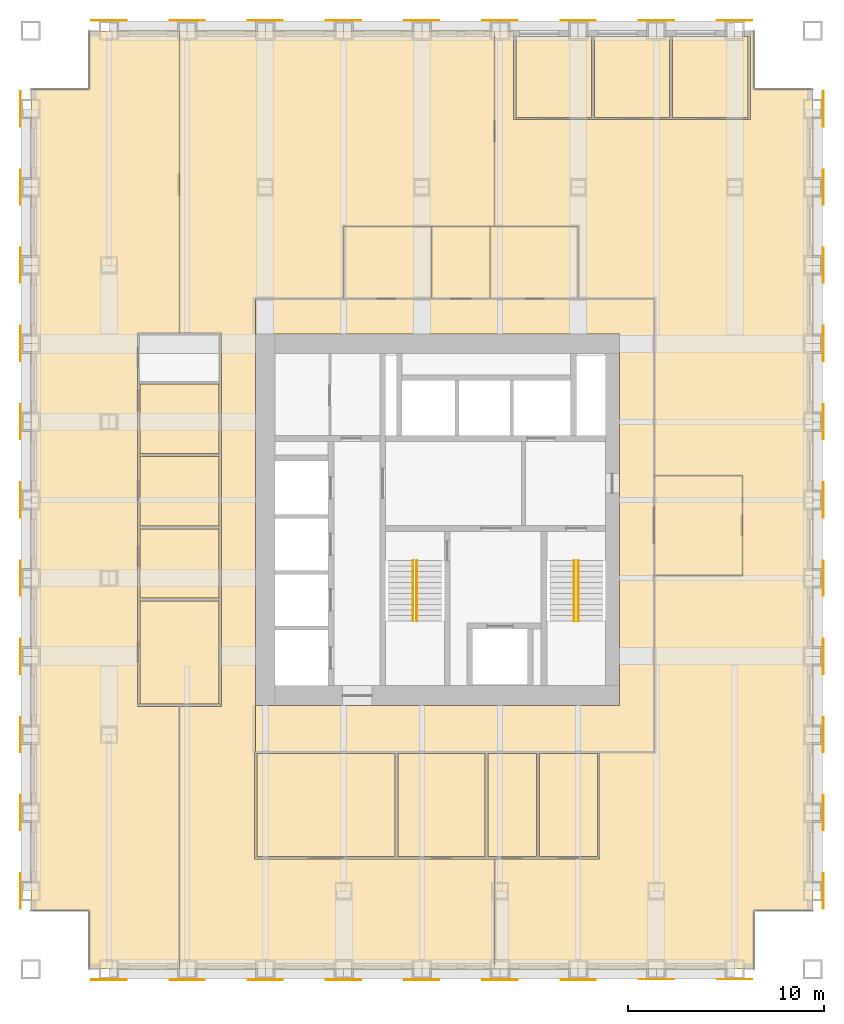
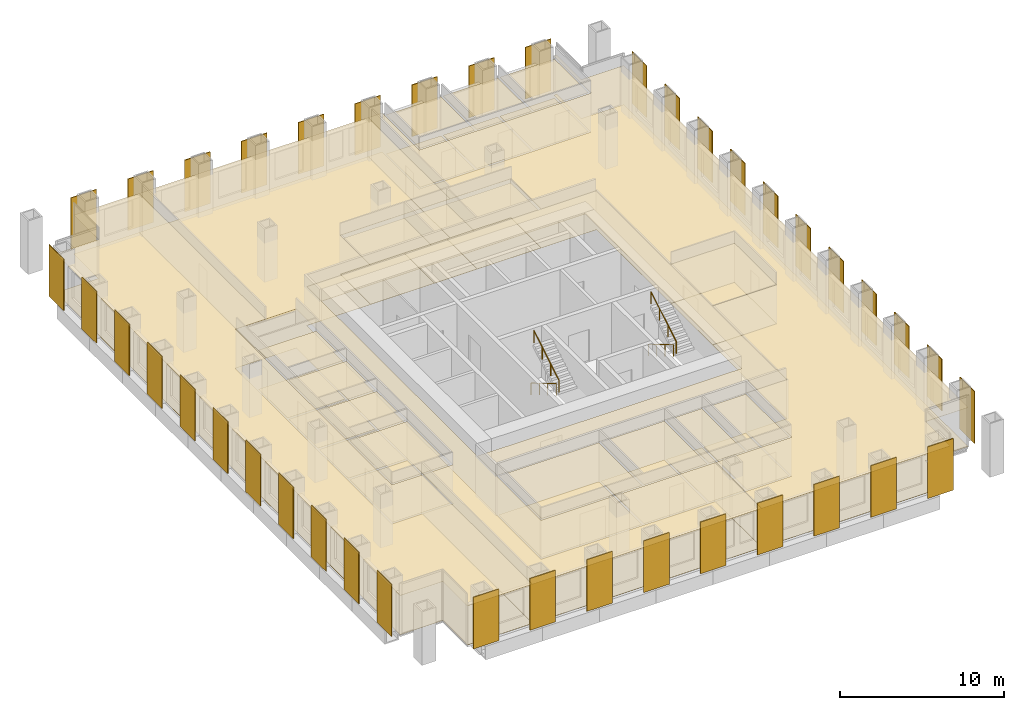
# One storey, part 12 of 12: 40 shading devices, 37 coverings, 4 railings.
"""IFC4 building model written with IfcOpenShell, lengths in metres."""

from ifc_helpers import new_model, si_unit, direction, frame, origin, origin_2d, place, context, subcontext, project, spatial, polyline, rectangle, circle, outline, extrude, material, layer, layer_set, type_object, element, save


model = new_model("IFC4")

# Units and contexts
model_context = context("Model", 3, precision=1e-05, world=origin(), true_north=direction((0.0, 1.0)))
body_context = subcontext(model_context, "Body", "Model", "MODEL_VIEW")
ifc_project = project(units=[si_unit("LENGTHUNIT", "METRE"), si_unit("AREAUNIT", "SQUARE_METRE"), si_unit("VOLUMEUNIT", "CUBIC_METRE"), si_unit("PLANEANGLEUNIT", "RADIAN"), si_unit("MASSUNIT", "GRAM", prefix="KILO")], contexts=[model_context])

# Site, building, storey
site_placement = place(None, origin())
site = spatial("IfcSite", under=ifc_project, at=site_placement, CompositionType="ELEMENT")
building_placement = place(site_placement, origin())
building = spatial("IfcBuilding", under=site, at=building_placement, Name="Rimbunsela Tower", CompositionType="ELEMENT")
storey_placement = place(building_placement, frame((0.0, 0.0, 159.800048828125)))
storey = spatial("IfcBuildingStorey", under=building, at=storey_placement, Name="L38", CompositionType="ELEMENT", Elevation=159.800048828125)

# Coverings
ifc_material_1 = material(Name="Nylon carpet tile", Category="textile")
ifc_layer_1 = layer(ifc_material_1, 0.010009765625)
ifc_layer_set_1 = layer_set([ifc_layer_1], Name="Carpet tile 10")
covering_type_1 = type_object("IfcCoveringType", Name="Carpet tile 10", PredefinedType="FLOORING", material=ifc_layer_set_1)
covering_1_placement = place(storey_placement, origin())
element("IfcCovering", 1, at=covering_1_placement, inside=storey, type_object=covering_type_1, Name="Floor finish Open office", PredefinedType="FLOORING", context=body_context, shape_type="SweptSolid", body=[
    extrude(outline(polyline([(29.72509765625, 52.0), (30.699951171875, 52.0), (30.699951171875, 47.449951171875), (34.699951171875, 47.449951171875), (34.800048828125, 47.449951171875), (37.89990234375, 47.449951171875), (38.699951171875, 47.449951171875), (38.800048828125, 47.449951171875), (42.800048828125, 47.449951171875), (42.800048828125, 52.0), (43.0, 52.0), (43.0, 49.0), (46.0, 49.0), (46.0, 7.0), (43.0, 7.0), (43.0, 4.0), (37.89990234375, 4.0), (29.72509765625, 4.0), (29.72509765625, 9.64990234375), (31.89990234375, 9.64990234375), (32.0, 9.64990234375), (35.10009765625, 9.64990234375), (35.10009765625, 15.10009765625), (37.89990234375, 15.10009765625), (37.89990234375, 24.14990234375), (42.39990234375, 24.14990234375), (42.39990234375, 29.25), (37.89990234375, 29.25), (37.89990234375, 38.300048828125), (34.0, 38.300048828125), (34.0, 42.0), (29.72509765625, 42.0), (29.72509765625, 52.0)])), origin(), (0.0, 0.0, 1.0), 0.010009765625),
])
covering_2_placement = place(storey_placement, origin())
element("IfcCovering", 2, at=covering_2_placement, inside=storey, type_object=covering_type_1, Name="Floor finish Open office", PredefinedType="FLOORING", context=body_context, shape_type="SweptSolid", body=[
    extrude(outline(polyline([(13.60009765625, 4.0), (9.0, 4.0), (9.0, 7.0), (6.0, 7.0), (6.0, 49.0), (9.0, 49.0), (9.0, 52.0), (13.60009765625, 52.0), (13.60009765625, 36.550048828125), (11.449951171875, 36.550048828125), (11.449951171875, 34.050048828125), (11.449951171875, 33.949951171875), (11.449951171875, 30.35009765625), (11.449951171875, 30.25), (11.449951171875, 26.64990234375), (11.449951171875, 26.550048828125), (11.449951171875, 22.949951171875), (11.449951171875, 22.85009765625), (11.449951171875, 17.449951171875), (13.60009765625, 17.449951171875), (13.60009765625, 4.0)])), origin(), (0.0, 0.0, 1.0), 0.010009765625),
])
covering_3_placement = place(storey_placement, origin())
element("IfcCovering", 3, at=covering_3_placement, inside=storey, type_object=covering_type_1, Name="Floor finish Open office", PredefinedType="FLOORING", context=body_context, shape_type="SweptSolid", body=[
    extrude(outline(polyline([(17.5, 4.0), (13.60009765625, 4.0), (13.60009765625, 17.449951171875), (15.75, 17.449951171875), (15.75, 22.85009765625), (15.75, 22.949951171875), (15.75, 26.550048828125), (15.75, 26.64990234375), (15.75, 30.25), (15.75, 30.35009765625), (15.75, 33.949951171875), (15.75, 34.050048828125), (15.75, 36.550048828125), (13.60009765625, 36.550048828125), (13.60009765625, 52.0), (17.5, 52.0), (29.72509765625, 52.0), (29.72509765625, 42.0), (22.0, 42.0), (22.0, 38.300048828125), (17.5, 38.300048828125), (17.5, 36.5), (17.5, 17.5), (17.5, 15.14990234375), (17.449951171875, 15.14990234375), (17.449951171875, 9.64990234375), (17.5, 9.64990234375), (24.64990234375, 9.64990234375), (24.75, 9.64990234375), (29.25, 9.64990234375), (29.35009765625, 9.64990234375), (29.72509765625, 9.64990234375), (29.72509765625, 4.0), (17.5, 4.0)])), origin(), (0.0, 0.0, 1.0), 0.010009765625),
])
covering_4_placement = place(storey_placement, origin())
element("IfcCovering", 4, at=covering_4_placement, inside=storey, type_object=covering_type_1, Name="Floor finish Reception", PredefinedType="FLOORING", context=body_context, shape_type="SweptSolid", body=[
    extrude(outline(polyline([(42.39990234375, 24.14990234375), (42.39990234375, 29.25), (37.89990234375, 29.25), (37.89990234375, 24.14990234375), (42.39990234375, 24.14990234375)])), origin(), (0.0, 0.0, 1.0), 0.010009765625),
])
covering_5_placement = place(storey_placement, origin())
element("IfcCovering", 5, at=covering_5_placement, inside=storey, type_object=covering_type_1, Name="Floor finish Executive office", PredefinedType="FLOORING", context=body_context, shape_type="SweptSolid", body=[
    extrude(outline(polyline([(34.675048828125, 47.574951171875), (34.675048828125, 51.699951171875), (30.824951171875, 51.699951171875), (30.824951171875, 47.574951171875), (34.675048828125, 47.574951171875)])), origin(), (0.0, 0.0, 1.0), 0.010009765625),
])
covering_6_placement = place(storey_placement, origin())
element("IfcCovering", 6, at=covering_6_placement, inside=storey, type_object=covering_type_1, Name="Floor finish Executive office", PredefinedType="FLOORING", context=body_context, shape_type="SweptSolid", body=[
    extrude(outline(polyline([(38.675048828125, 47.574951171875), (38.675048828125, 51.699951171875), (34.824951171875, 51.699951171875), (34.824951171875, 47.574951171875), (38.675048828125, 47.574951171875)])), origin(), (0.0, 0.0, 1.0), 0.010009765625),
])
covering_7_placement = place(storey_placement, origin())
element("IfcCovering", 7, at=covering_7_placement, inside=storey, type_object=covering_type_1, Name="Floor finish Executive office", PredefinedType="FLOORING", context=body_context, shape_type="SweptSolid", body=[
    extrude(outline(polyline([(42.675048828125, 47.574951171875), (42.675048828125, 51.699951171875), (38.824951171875, 51.699951171875), (38.824951171875, 47.574951171875), (42.675048828125, 47.574951171875)])), origin(), (0.0, 0.0, 1.0), 0.010009765625),
])
covering_8_placement = place(storey_placement, origin())
element("IfcCovering", 8, at=covering_8_placement, inside=storey, type_object=covering_type_1, Name="Floor finish Boardroom", PredefinedType="FLOORING", context=body_context, shape_type="SweptSolid", body=[
    extrude(outline(polyline([(24.625, 9.77490234375), (24.625, 15.02490234375), (17.574951171875, 15.02490234375), (17.574951171875, 9.77490234375), (24.625, 9.77490234375)])), origin(), (0.0, 0.0, 1.0), 0.010009765625),
])
covering_9_placement = place(storey_placement, origin())
element("IfcCovering", 9, at=covering_9_placement, inside=storey, type_object=covering_type_1, Name="Floor finish Pantry", PredefinedType="FLOORING", context=body_context, shape_type="SweptSolid", body=[
    extrude(outline(polyline([(29.22509765625, 9.77490234375), (29.22509765625, 15.02490234375), (24.77490234375, 15.02490234375), (24.77490234375, 9.77490234375), (29.22509765625, 9.77490234375)])), origin(), (0.0, 0.0, 1.0), 0.010009765625),
])
covering_10_placement = place(storey_placement, origin())
element("IfcCovering", 10, at=covering_10_placement, inside=storey, type_object=covering_type_1, Name="Floor finish Print and copy room", PredefinedType="FLOORING", context=body_context, shape_type="SweptSolid", body=[
    extrude(outline(polyline([(31.875, 9.77490234375), (31.875, 15.02490234375), (29.375, 15.02490234375), (29.375, 9.77490234375), (31.875, 9.77490234375)])), origin(), (0.0, 0.0, 1.0), 0.010009765625),
])
covering_11_placement = place(storey_placement, origin())
element("IfcCovering", 11, at=covering_11_placement, inside=storey, type_object=covering_type_1, Name="Floor finish Office", PredefinedType="FLOORING", context=body_context, shape_type="SweptSolid", body=[
    extrude(outline(polyline([(34.97509765625, 9.77490234375), (34.97509765625, 15.02490234375), (32.02490234375, 15.02490234375), (32.02490234375, 9.77490234375), (34.97509765625, 9.77490234375)])), origin(), (0.0, 0.0, 1.0), 0.010009765625),
])
covering_12_placement = place(storey_placement, origin())
element("IfcCovering", 12, at=covering_12_placement, inside=storey, type_object=covering_type_1, Name="Floor finish Meeting room", PredefinedType="FLOORING", context=body_context, shape_type="SweptSolid", body=[
    extrude(outline(polyline([(15.625, 17.574951171875), (15.625, 22.824951171875), (11.574951171875, 22.824951171875), (11.574951171875, 17.574951171875), (15.625, 17.574951171875)])), origin(), (0.0, 0.0, 1.0), 0.010009765625),
])
covering_13_placement = place(storey_placement, origin())
element("IfcCovering", 13, at=covering_13_placement, inside=storey, type_object=covering_type_1, Name="Floor finish Meeting room", PredefinedType="FLOORING", context=body_context, shape_type="SweptSolid", body=[
    extrude(outline(polyline([(15.625, 22.97509765625), (15.625, 26.52490234375), (11.574951171875, 26.52490234375), (11.574951171875, 22.97509765625), (15.625, 22.97509765625)])), origin(), (0.0, 0.0, 1.0), 0.010009765625),
])
covering_14_placement = place(storey_placement, origin())
element("IfcCovering", 14, at=covering_14_placement, inside=storey, type_object=covering_type_1, Name="Floor finish Meeting room", PredefinedType="FLOORING", context=body_context, shape_type="SweptSolid", body=[
    extrude(outline(polyline([(15.625, 26.675048828125), (15.625, 30.22509765625), (11.574951171875, 30.22509765625), (11.574951171875, 26.675048828125), (15.625, 26.675048828125)])), origin(), (0.0, 0.0, 1.0), 0.010009765625),
])
covering_15_placement = place(storey_placement, origin())
element("IfcCovering", 15, at=covering_15_placement, inside=storey, type_object=covering_type_1, Name="Floor finish Meeting room", PredefinedType="FLOORING", context=body_context, shape_type="SweptSolid", body=[
    extrude(outline(polyline([(15.625, 30.375), (15.625, 33.925048828125), (11.574951171875, 33.925048828125), (11.574951171875, 30.375), (15.625, 30.375)])), origin(), (0.0, 0.0, 1.0), 0.010009765625),
])
ifc_material_2 = material(Name="Mineral fibre ceiling tile", Category="gypsum")
ifc_layer_2 = layer(ifc_material_2, 0.02001953125)
ifc_layer_set_2 = layer_set([ifc_layer_2], Name="Ceiling 600 grid")
covering_type_2 = type_object("IfcCoveringType", Name="Ceiling 600 grid", PredefinedType="CEILING", material=ifc_layer_set_2)
covering_16_placement = place(storey_placement, frame((0.0, 0.0, 2.89990234375)))
element("IfcCovering", 16, at=covering_16_placement, inside=storey, type_object=covering_type_2, Name="Ceiling U-shaped corridor", PredefinedType="CEILING", context=body_context, shape_type="SweptSolid", body=[
    extrude(outline(polyline([(37.89990234375, 38.300048828125), (37.89990234375, 15.10009765625), (17.5, 15.10009765625), (17.5, 17.5), (36.10009765625, 17.5), (36.10009765625, 36.5), (17.5, 36.5), (17.5, 38.300048828125), (37.89990234375, 38.300048828125)])), origin(), (0.0, 0.0, 1.0), 0.02001953125),
])
covering_17_placement = place(storey_placement, frame((0.0, 0.0, 2.89990234375)))
element("IfcCovering", 17, at=covering_17_placement, inside=storey, type_object=covering_type_2, Name="Ceiling Open office", PredefinedType="CEILING", context=body_context, shape_type="SweptSolid", body=[
    extrude(outline(polyline([(29.72509765625, 52.0), (30.699951171875, 52.0), (30.699951171875, 47.449951171875), (34.699951171875, 47.449951171875), (34.800048828125, 47.449951171875), (37.89990234375, 47.449951171875), (38.699951171875, 47.449951171875), (38.800048828125, 47.449951171875), (42.800048828125, 47.449951171875), (42.800048828125, 52.0), (43.0, 52.0), (43.0, 49.0), (46.0, 49.0), (46.0, 7.0), (43.0, 7.0), (43.0, 4.0), (37.89990234375, 4.0), (29.72509765625, 4.0), (29.72509765625, 9.64990234375), (31.89990234375, 9.64990234375), (32.0, 9.64990234375), (35.10009765625, 9.64990234375), (35.10009765625, 15.10009765625), (37.89990234375, 15.10009765625), (37.89990234375, 24.14990234375), (42.39990234375, 24.14990234375), (42.39990234375, 29.25), (37.89990234375, 29.25), (37.89990234375, 38.300048828125), (34.0, 38.300048828125), (34.0, 42.0), (29.72509765625, 42.0), (29.72509765625, 52.0)])), origin(), (0.0, 0.0, 1.0), 0.02001953125),
])
covering_18_placement = place(storey_placement, frame((0.0, 0.0, 2.89990234375)))
element("IfcCovering", 18, at=covering_18_placement, inside=storey, type_object=covering_type_2, Name="Ceiling Open office", PredefinedType="CEILING", context=body_context, shape_type="SweptSolid", body=[
    extrude(outline(polyline([(13.60009765625, 4.0), (9.0, 4.0), (9.0, 7.0), (6.0, 7.0), (6.0, 49.0), (9.0, 49.0), (9.0, 52.0), (13.60009765625, 52.0), (13.60009765625, 36.550048828125), (11.449951171875, 36.550048828125), (11.449951171875, 34.050048828125), (11.449951171875, 33.949951171875), (11.449951171875, 30.35009765625), (11.449951171875, 30.25), (11.449951171875, 26.64990234375), (11.449951171875, 26.550048828125), (11.449951171875, 22.949951171875), (11.449951171875, 22.85009765625), (11.449951171875, 17.449951171875), (13.60009765625, 17.449951171875), (13.60009765625, 4.0)])), origin(), (0.0, 0.0, 1.0), 0.02001953125),
])
covering_19_placement = place(storey_placement, frame((0.0, 0.0, 2.89990234375)))
element("IfcCovering", 19, at=covering_19_placement, inside=storey, type_object=covering_type_2, Name="Ceiling Open office", PredefinedType="CEILING", context=body_context, shape_type="SweptSolid", body=[
    extrude(outline(polyline([(17.5, 4.0), (13.60009765625, 4.0), (13.60009765625, 17.449951171875), (15.75, 17.449951171875), (15.75, 22.85009765625), (15.75, 22.949951171875), (15.75, 26.550048828125), (15.75, 26.64990234375), (15.75, 30.25), (15.75, 30.35009765625), (15.75, 33.949951171875), (15.75, 34.050048828125), (15.75, 36.550048828125), (13.60009765625, 36.550048828125), (13.60009765625, 52.0), (17.5, 52.0), (29.72509765625, 52.0), (29.72509765625, 42.0), (22.0, 42.0), (22.0, 38.300048828125), (17.5, 38.300048828125), (17.5, 36.5), (17.5, 17.5), (17.5, 15.14990234375), (17.449951171875, 15.14990234375), (17.449951171875, 9.64990234375), (17.5, 9.64990234375), (24.64990234375, 9.64990234375), (24.75, 9.64990234375), (29.25, 9.64990234375), (29.35009765625, 9.64990234375), (29.72509765625, 9.64990234375), (29.72509765625, 4.0), (17.5, 4.0)])), origin(), (0.0, 0.0, 1.0), 0.02001953125),
])
covering_20_placement = place(storey_placement, frame((0.0, 0.0, 2.89990234375)))
element("IfcCovering", 20, at=covering_20_placement, inside=storey, type_object=covering_type_2, Name="Ceiling Reception", PredefinedType="CEILING", context=body_context, shape_type="SweptSolid", body=[
    extrude(outline(polyline([(42.39990234375, 24.14990234375), (42.39990234375, 29.25), (37.89990234375, 29.25), (37.89990234375, 24.14990234375), (42.39990234375, 24.14990234375)])), origin(), (0.0, 0.0, 1.0), 0.02001953125),
])
covering_21_placement = place(storey_placement, frame((0.0, 0.0, 2.89990234375)))
element("IfcCovering", 21, at=covering_21_placement, inside=storey, type_object=covering_type_2, Name="Ceiling Executive office", PredefinedType="CEILING", context=body_context, shape_type="SweptSolid", body=[
    extrude(outline(polyline([(34.675048828125, 47.574951171875), (34.675048828125, 51.699951171875), (30.824951171875, 51.699951171875), (30.824951171875, 47.574951171875), (34.675048828125, 47.574951171875)])), origin(), (0.0, 0.0, 1.0), 0.02001953125),
])
covering_22_placement = place(storey_placement, frame((0.0, 0.0, 2.89990234375)))
element("IfcCovering", 22, at=covering_22_placement, inside=storey, type_object=covering_type_2, Name="Ceiling Executive office", PredefinedType="CEILING", context=body_context, shape_type="SweptSolid", body=[
    extrude(outline(polyline([(38.675048828125, 47.574951171875), (38.675048828125, 51.699951171875), (34.824951171875, 51.699951171875), (34.824951171875, 47.574951171875), (38.675048828125, 47.574951171875)])), origin(), (0.0, 0.0, 1.0), 0.02001953125),
])
covering_23_placement = place(storey_placement, frame((0.0, 0.0, 2.89990234375)))
element("IfcCovering", 23, at=covering_23_placement, inside=storey, type_object=covering_type_2, Name="Ceiling Executive office", PredefinedType="CEILING", context=body_context, shape_type="SweptSolid", body=[
    extrude(outline(polyline([(42.675048828125, 47.574951171875), (42.675048828125, 51.699951171875), (38.824951171875, 51.699951171875), (38.824951171875, 47.574951171875), (42.675048828125, 47.574951171875)])), origin(), (0.0, 0.0, 1.0), 0.02001953125),
])
covering_24_placement = place(storey_placement, frame((0.0, 0.0, 2.89990234375)))
element("IfcCovering", 24, at=covering_24_placement, inside=storey, type_object=covering_type_2, Name="Ceiling Boardroom", PredefinedType="CEILING", context=body_context, shape_type="SweptSolid", body=[
    extrude(outline(polyline([(24.625, 9.77490234375), (24.625, 15.02490234375), (17.574951171875, 15.02490234375), (17.574951171875, 9.77490234375), (24.625, 9.77490234375)])), origin(), (0.0, 0.0, 1.0), 0.02001953125),
])
covering_25_placement = place(storey_placement, frame((0.0, 0.0, 2.89990234375)))
element("IfcCovering", 25, at=covering_25_placement, inside=storey, type_object=covering_type_2, Name="Ceiling Pantry", PredefinedType="CEILING", context=body_context, shape_type="SweptSolid", body=[
    extrude(outline(polyline([(29.22509765625, 9.77490234375), (29.22509765625, 15.02490234375), (24.77490234375, 15.02490234375), (24.77490234375, 9.77490234375), (29.22509765625, 9.77490234375)])), origin(), (0.0, 0.0, 1.0), 0.02001953125),
])
covering_26_placement = place(storey_placement, frame((0.0, 0.0, 2.89990234375)))
element("IfcCovering", 26, at=covering_26_placement, inside=storey, type_object=covering_type_2, Name="Ceiling Print and copy room", PredefinedType="CEILING", context=body_context, shape_type="SweptSolid", body=[
    extrude(outline(polyline([(31.875, 9.77490234375), (31.875, 15.02490234375), (29.375, 15.02490234375), (29.375, 9.77490234375), (31.875, 9.77490234375)])), origin(), (0.0, 0.0, 1.0), 0.02001953125),
])
covering_27_placement = place(storey_placement, frame((0.0, 0.0, 2.89990234375)))
element("IfcCovering", 27, at=covering_27_placement, inside=storey, type_object=covering_type_2, Name="Ceiling Office", PredefinedType="CEILING", context=body_context, shape_type="SweptSolid", body=[
    extrude(outline(polyline([(34.97509765625, 9.77490234375), (34.97509765625, 15.02490234375), (32.02490234375, 15.02490234375), (32.02490234375, 9.77490234375), (34.97509765625, 9.77490234375)])), origin(), (0.0, 0.0, 1.0), 0.02001953125),
])
covering_28_placement = place(storey_placement, frame((0.0, 0.0, 2.89990234375)))
element("IfcCovering", 28, at=covering_28_placement, inside=storey, type_object=covering_type_2, Name="Ceiling Meeting room", PredefinedType="CEILING", context=body_context, shape_type="SweptSolid", body=[
    extrude(outline(polyline([(15.625, 17.574951171875), (15.625, 22.824951171875), (11.574951171875, 22.824951171875), (11.574951171875, 17.574951171875), (15.625, 17.574951171875)])), origin(), (0.0, 0.0, 1.0), 0.02001953125),
])
covering_29_placement = place(storey_placement, frame((0.0, 0.0, 2.89990234375)))
element("IfcCovering", 29, at=covering_29_placement, inside=storey, type_object=covering_type_2, Name="Ceiling Meeting room", PredefinedType="CEILING", context=body_context, shape_type="SweptSolid", body=[
    extrude(outline(polyline([(15.625, 22.97509765625), (15.625, 26.52490234375), (11.574951171875, 26.52490234375), (11.574951171875, 22.97509765625), (15.625, 22.97509765625)])), origin(), (0.0, 0.0, 1.0), 0.02001953125),
])
covering_30_placement = place(storey_placement, frame((0.0, 0.0, 2.89990234375)))
element("IfcCovering", 30, at=covering_30_placement, inside=storey, type_object=covering_type_2, Name="Ceiling Meeting room", PredefinedType="CEILING", context=body_context, shape_type="SweptSolid", body=[
    extrude(outline(polyline([(15.625, 26.675048828125), (15.625, 30.22509765625), (11.574951171875, 30.22509765625), (11.574951171875, 26.675048828125), (15.625, 26.675048828125)])), origin(), (0.0, 0.0, 1.0), 0.02001953125),
])
covering_31_placement = place(storey_placement, frame((0.0, 0.0, 2.89990234375)))
element("IfcCovering", 31, at=covering_31_placement, inside=storey, type_object=covering_type_2, Name="Ceiling Meeting room", PredefinedType="CEILING", context=body_context, shape_type="SweptSolid", body=[
    extrude(outline(polyline([(15.625, 30.375), (15.625, 33.925048828125), (11.574951171875, 33.925048828125), (11.574951171875, 30.375), (15.625, 30.375)])), origin(), (0.0, 0.0, 1.0), 0.02001953125),
])
ifc_material_3 = material(Name="Moisture-resistant plasterboard ceiling", Category="gypsum")
ifc_layer_3 = layer(ifc_material_3, 0.012451171875)
ifc_layer_set_3 = layer_set([ifc_layer_3], Name="Ceiling moisture-resistant board")
covering_type_3 = type_object("IfcCoveringType", Name="Ceiling moisture-resistant board", PredefinedType="CEILING", material=ifc_layer_set_3)
covering_32_placement = place(storey_placement, frame((0.0, 0.0, 2.599853515625)))
element("IfcCovering", 32, at=covering_32_placement, inside=storey, type_object=covering_type_3, Name="Ceiling Female WC", PredefinedType="CEILING", context=body_context, shape_type="SweptSolid", body=[
    extrude(outline(polyline([(26.5, 38.300048828125), (26.5, 42.0), (22.0, 42.0), (22.0, 38.300048828125), (26.5, 38.300048828125)])), origin(), (0.0, 0.0, 1.0), 0.02001953125),
])
covering_33_placement = place(storey_placement, frame((0.0, 0.0, 2.599853515625)))
element("IfcCovering", 33, at=covering_33_placement, inside=storey, type_object=covering_type_3, Name="Ceiling Accessible WC", PredefinedType="CEILING", context=body_context, shape_type="SweptSolid", body=[
    extrude(outline(polyline([(29.5, 38.300048828125), (29.5, 42.0), (26.5, 42.0), (26.5, 38.300048828125), (29.5, 38.300048828125)])), origin(), (0.0, 0.0, 1.0), 0.02001953125),
])
covering_34_placement = place(storey_placement, frame((0.0, 0.0, 2.599853515625)))
element("IfcCovering", 34, at=covering_34_placement, inside=storey, type_object=covering_type_3, Name="Ceiling Male WC", PredefinedType="CEILING", context=body_context, shape_type="SweptSolid", body=[
    extrude(outline(polyline([(34.0, 38.300048828125), (34.0, 42.0), (29.5, 42.0), (29.5, 38.300048828125), (34.0, 38.300048828125)])), origin(), (0.0, 0.0, 1.0), 0.02001953125),
])
ifc_material_4 = material(Name="Porcelain floor tile in adhesive bed", Category="ceramic")
ifc_layer_4 = layer(ifc_material_4, 0.02001953125)
ifc_layer_set_4 = layer_set([ifc_layer_4], Name="Porcelain tile 20")
covering_type_4 = type_object("IfcCoveringType", Name="Porcelain tile 20", PredefinedType="FLOORING", material=ifc_layer_set_4)
covering_35_placement = place(storey_placement, origin())
element("IfcCovering", 35, at=covering_35_placement, inside=storey, type_object=covering_type_4, Name="Floor finish Female WC", PredefinedType="FLOORING", context=body_context, shape_type="SweptSolid", body=[
    extrude(outline(polyline([(26.5, 38.300048828125), (26.5, 42.0), (22.0, 42.0), (22.0, 38.300048828125), (26.5, 38.300048828125)])), origin(), (0.0, 0.0, 1.0), 0.02001953125),
])
covering_36_placement = place(storey_placement, origin())
element("IfcCovering", 36, at=covering_36_placement, inside=storey, type_object=covering_type_4, Name="Floor finish Accessible WC", PredefinedType="FLOORING", context=body_context, shape_type="SweptSolid", body=[
    extrude(outline(polyline([(29.5, 38.300048828125), (29.5, 42.0), (26.5, 42.0), (26.5, 38.300048828125), (29.5, 38.300048828125)])), origin(), (0.0, 0.0, 1.0), 0.02001953125),
])
covering_37_placement = place(storey_placement, origin())
element("IfcCovering", 37, at=covering_37_placement, inside=storey, type_object=covering_type_4, Name="Floor finish Male WC", PredefinedType="FLOORING", context=body_context, shape_type="SweptSolid", body=[
    extrude(outline(polyline([(34.0, 38.300048828125), (34.0, 42.0), (29.5, 42.0), (29.5, 38.300048828125), (34.0, 38.300048828125)])), origin(), (0.0, 0.0, 1.0), 0.02001953125),
])

# Shading devices
ifc_material_5 = material(Name="Perforated aluminium, 35 % open area", Category="aluminium")
ifc_layer_5 = layer(ifc_material_5, 0.050048828125)
ifc_layer_set_5 = layer_set([ifc_layer_5], Name="Solar screen panel 1800")
shading_device_type = type_object("IfcShadingDeviceType", Name="Solar screen panel 1800", PredefinedType="USERDEFINED", material=ifc_layer_set_5)
for number, where, z_axis, x_axis, name in (
    (38, (10.0, 3.47509765625, 0.0), (0.0, 0.0, 1.0), (1.0, 0.0, 0.0), "Solar screen S L38"),
    (39, (14.0, 3.47509765625, 0.0), (0.0, 0.0, 1.0), (1.0, 0.0, 0.0), "Solar screen S L38"),
    (40, (18.0, 3.47509765625, 0.0), (0.0, 0.0, 1.0), (1.0, 0.0, 0.0), "Solar screen S L38"),
    (41, (22.0, 3.47509765625, 0.0), (0.0, 0.0, 1.0), (1.0, 0.0, 0.0), "Solar screen S L38"),
    (42, (26.0, 3.47509765625, 0.0), (0.0, 0.0, 1.0), (1.0, 0.0, 0.0), "Solar screen S L38"),
    (43, (30.0, 3.47509765625, 0.0), (0.0, 0.0, 1.0), (1.0, 0.0, 0.0), "Solar screen S L38"),
    (44, (34.0, 3.47509765625, 0.0), (0.0, 0.0, 1.0), (1.0, 0.0, 0.0), "Solar screen S L38"),
    (45, (38.0, 3.47509765625, 0.0), (0.0, 0.0, 1.0), (1.0, 0.0, 0.0), "Solar screen S L38"),
    (46, (42.0, 3.47509765625, 0.0), (0.0, 0.0, 1.0), (1.0, 0.0, 0.0), "Solar screen S L38"),
    (47, (46.52490234375, 8.0, 0.0), (0.0, 0.0, 1.0), (0.0, 1.0, 0.0), "Solar screen E L38"),
    (48, (46.52490234375, 12.0, 0.0), (0.0, 0.0, 1.0), (0.0, 1.0, 0.0), "Solar screen E L38"),
    (49, (46.52490234375, 16.0, 0.0), (0.0, 0.0, 1.0), (0.0, 1.0, 0.0), "Solar screen E L38"),
    (50, (46.52490234375, 20.0, 0.0), (0.0, 0.0, 1.0), (0.0, 1.0, 0.0), "Solar screen E L38"),
    (51, (46.52490234375, 24.0, 0.0), (0.0, 0.0, 1.0), (0.0, 1.0, 0.0), "Solar screen E L38"),
    (52, (46.52490234375, 28.0, 0.0), (0.0, 0.0, 1.0), (0.0, 1.0, 0.0), "Solar screen E L38"),
    (53, (46.52490234375, 32.0, 0.0), (0.0, 0.0, 1.0), (0.0, 1.0, 0.0), "Solar screen E L38"),
    (54, (46.52490234375, 36.0, 0.0), (0.0, 0.0, 1.0), (0.0, 1.0, 0.0), "Solar screen E L38"),
    (55, (46.52490234375, 40.0, 0.0), (0.0, 0.0, 1.0), (0.0, 1.0, 0.0), "Solar screen E L38"),
    (56, (46.52490234375, 44.0, 0.0), (0.0, 0.0, 1.0), (0.0, 1.0, 0.0), "Solar screen E L38"),
    (57, (46.52490234375, 48.0, 0.0), (0.0, 0.0, 1.0), (0.0, 1.0, 0.0), "Solar screen E L38"),
    (58, (10.0, 52.52490234375, 0.0), (0.0, 0.0, 1.0), (1.0, 0.0, 0.0), "Solar screen N L38"),
    (59, (14.0, 52.52490234375, 0.0), (0.0, 0.0, 1.0), (1.0, 0.0, 0.0), "Solar screen N L38"),
    (60, (18.0, 52.52490234375, 0.0), (0.0, 0.0, 1.0), (1.0, 0.0, 0.0), "Solar screen N L38"),
    (61, (22.0, 52.52490234375, 0.0), (0.0, 0.0, 1.0), (1.0, 0.0, 0.0), "Solar screen N L38"),
    (62, (26.0, 52.52490234375, 0.0), (0.0, 0.0, 1.0), (1.0, 0.0, 0.0), "Solar screen N L38"),
    (63, (30.0, 52.52490234375, 0.0), (0.0, 0.0, 1.0), (1.0, 0.0, 0.0), "Solar screen N L38"),
    (64, (34.0, 52.52490234375, 0.0), (0.0, 0.0, 1.0), (1.0, 0.0, 0.0), "Solar screen N L38"),
    (65, (38.0, 52.52490234375, 0.0), (0.0, 0.0, 1.0), (1.0, 0.0, 0.0), "Solar screen N L38"),
    (66, (42.0, 52.52490234375, 0.0), (0.0, 0.0, 1.0), (1.0, 0.0, 0.0), "Solar screen N L38"),
    (67, (5.47509765625, 8.0, 0.0), (0.0, 0.0, 1.0), (0.0, 1.0, 0.0), "Solar screen W L38"),
    (68, (5.47509765625, 12.0, 0.0), (0.0, 0.0, 1.0), (0.0, 1.0, 0.0), "Solar screen W L38"),
    (69, (5.47509765625, 16.0, 0.0), (0.0, 0.0, 1.0), (0.0, 1.0, 0.0), "Solar screen W L38"),
    (70, (5.47509765625, 20.0, 0.0), (0.0, 0.0, 1.0), (0.0, 1.0, 0.0), "Solar screen W L38"),
    (71, (5.47509765625, 24.0, 0.0), (0.0, 0.0, 1.0), (0.0, 1.0, 0.0), "Solar screen W L38"),
    (72, (5.47509765625, 28.0, 0.0), (0.0, 0.0, 1.0), (0.0, 1.0, 0.0), "Solar screen W L38"),
    (73, (5.47509765625, 32.0, 0.0), (0.0, 0.0, 1.0), (0.0, 1.0, 0.0), "Solar screen W L38"),
    (74, (5.47509765625, 36.0, 0.0), (0.0, 0.0, 1.0), (0.0, 1.0, 0.0), "Solar screen W L38"),
    (75, (5.47509765625, 40.0, 0.0), (0.0, 0.0, 1.0), (0.0, 1.0, 0.0), "Solar screen W L38"),
    (76, (5.47509765625, 44.0, 0.0), (0.0, 0.0, 1.0), (0.0, 1.0, 0.0), "Solar screen W L38"),
    (77, (5.47509765625, 48.0, 0.0), (0.0, 0.0, 1.0), (0.0, 1.0, 0.0), "Solar screen W L38"),
):
    element("IfcShadingDevice", number, at=place(storey_placement, frame(where, z_axis=z_axis, x_axis=x_axis)), inside=storey, type_object=shading_device_type, Name=name, ObjectType="SCREEN", PredefinedType="USERDEFINED", context=body_context, shape_type="SweptSolid", body=[
        extrude(rectangle(XDim=1.800048828125, YDim=0.050048828125, at=origin_2d()), origin(), (0.0, 0.0, 1.0), 3.85009765625),
    ])

# Railings
ifc_material_6 = material(Name="Stainless steel tube", Category="steel")
railing_type = type_object("IfcRailingType", Name="Stair handrail 900", PredefinedType="HANDRAIL", material=ifc_material_6)
railing_1_placement = place(storey_placement, frame((25.550048828125, 24.89990234375, 0.16650390625)))
element("IfcRailing", 78, at=railing_1_placement, inside=storey, type_object=railing_type, Name="Handrail ST-A flight 1", PredefinedType="HANDRAIL", context=body_context, shape_type="SweptSolid", body=[
    extrude(circle(Radius=0.02392578125, at=origin_2d()), frame((0.0, 0.0, 0.8759765625), z_axis=(0.0, -0.859260807169, 0.511537745687), x_axis=(1.0, 0.0, 0.0)), (0.0, 0.0, 1.0), 3.584228515625),
    extrude(circle(Radius=0.02099609375, at=origin_2d()), origin(), (0.0, 0.0, 1.0), 0.851806640625),
    extrude(circle(Radius=0.02099609375, at=origin_2d()), frame((0.0, -1.026611328125, 0.611083984375)), (0.0, 0.0, 1.0), 0.851806640625),
    extrude(circle(Radius=0.02099609375, at=origin_2d()), frame((0.0, -2.05322265625, 1.222412109375)), (0.0, 0.0, 1.0), 0.851806640625),
    extrude(circle(Radius=0.02099609375, at=origin_2d()), frame((0.0, -3.079833984375, 1.83349609375)), (0.0, 0.0, 1.0), 0.851806640625),
])
railing_2_placement = place(storey_placement, frame((25.75, 21.820068359375, 2.16650390625)))
element("IfcRailing", 79, at=railing_2_placement, inside=storey, type_object=railing_type, Name="Handrail ST-A flight 2", PredefinedType="HANDRAIL", context=body_context, shape_type="SweptSolid", body=[
    extrude(circle(Radius=0.02392578125, at=origin_2d()), frame((0.0, 0.0, 0.8759765625), z_axis=(0.0, 0.859260807169, 0.511537745687), x_axis=(-1.0, 0.0, 0.0)), (0.0, 0.0, 1.0), 3.584228515625),
    extrude(circle(Radius=0.02099609375, at=origin_2d()), origin(), (0.0, 0.0, 1.0), 0.851806640625),
    extrude(circle(Radius=0.02099609375, at=origin_2d()), frame((0.0, 1.026611328125, 0.611083984375)), (0.0, 0.0, 1.0), 0.851806640625),
    extrude(circle(Radius=0.02099609375, at=origin_2d()), frame((0.0, 2.05322265625, 1.222412109375)), (0.0, 0.0, 1.0), 0.851806640625),
    extrude(circle(Radius=0.02099609375, at=origin_2d()), frame((0.0, 3.079833984375, 1.83349609375)), (0.0, 0.0, 1.0), 0.851806640625),
])
railing_3_placement = place(storey_placement, frame((33.800048828125, 24.89990234375, 0.16650390625)))
element("IfcRailing", 80, at=railing_3_placement, inside=storey, type_object=railing_type, Name="Handrail ST-B flight 1", PredefinedType="HANDRAIL", context=body_context, shape_type="SweptSolid", body=[
    extrude(circle(Radius=0.02392578125, at=origin_2d()), frame((0.0, 0.0, 0.8759765625), z_axis=(0.0, -0.859260807169, 0.511537745687), x_axis=(1.0, 0.0, 0.0)), (0.0, 0.0, 1.0), 3.584228515625),
    extrude(circle(Radius=0.02099609375, at=origin_2d()), origin(), (0.0, 0.0, 1.0), 0.851806640625),
    extrude(circle(Radius=0.02099609375, at=origin_2d()), frame((0.0, -1.026611328125, 0.611083984375)), (0.0, 0.0, 1.0), 0.851806640625),
    extrude(circle(Radius=0.02099609375, at=origin_2d()), frame((0.0, -2.05322265625, 1.222412109375)), (0.0, 0.0, 1.0), 0.851806640625),
    extrude(circle(Radius=0.02099609375, at=origin_2d()), frame((0.0, -3.079833984375, 1.83349609375)), (0.0, 0.0, 1.0), 0.851806640625),
])
railing_4_placement = place(storey_placement, frame((34.0, 21.820068359375, 2.16650390625)))
element("IfcRailing", 81, at=railing_4_placement, inside=storey, type_object=railing_type, Name="Handrail ST-B flight 2", PredefinedType="HANDRAIL", context=body_context, shape_type="SweptSolid", body=[
    extrude(circle(Radius=0.02392578125, at=origin_2d()), frame((0.0, 0.0, 0.8759765625), z_axis=(0.0, 0.859260807169, 0.511537745687), x_axis=(-1.0, 0.0, 0.0)), (0.0, 0.0, 1.0), 3.584228515625),
    extrude(circle(Radius=0.02099609375, at=origin_2d()), origin(), (0.0, 0.0, 1.0), 0.851806640625),
    extrude(circle(Radius=0.02099609375, at=origin_2d()), frame((0.0, 1.026611328125, 0.611083984375)), (0.0, 0.0, 1.0), 0.851806640625),
    extrude(circle(Radius=0.02099609375, at=origin_2d()), frame((0.0, 2.05322265625, 1.222412109375)), (0.0, 0.0, 1.0), 0.851806640625),
    extrude(circle(Radius=0.02099609375, at=origin_2d()), frame((0.0, 3.079833984375, 1.83349609375)), (0.0, 0.0, 1.0), 0.851806640625),
])

save(model, "model.ifc")
